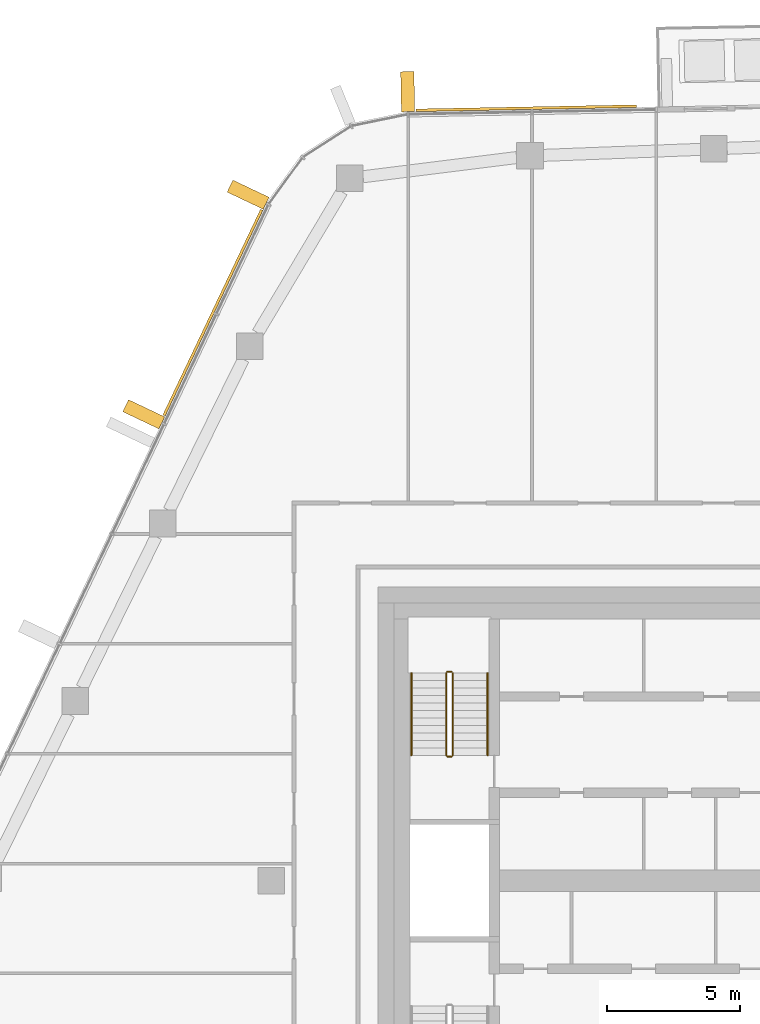
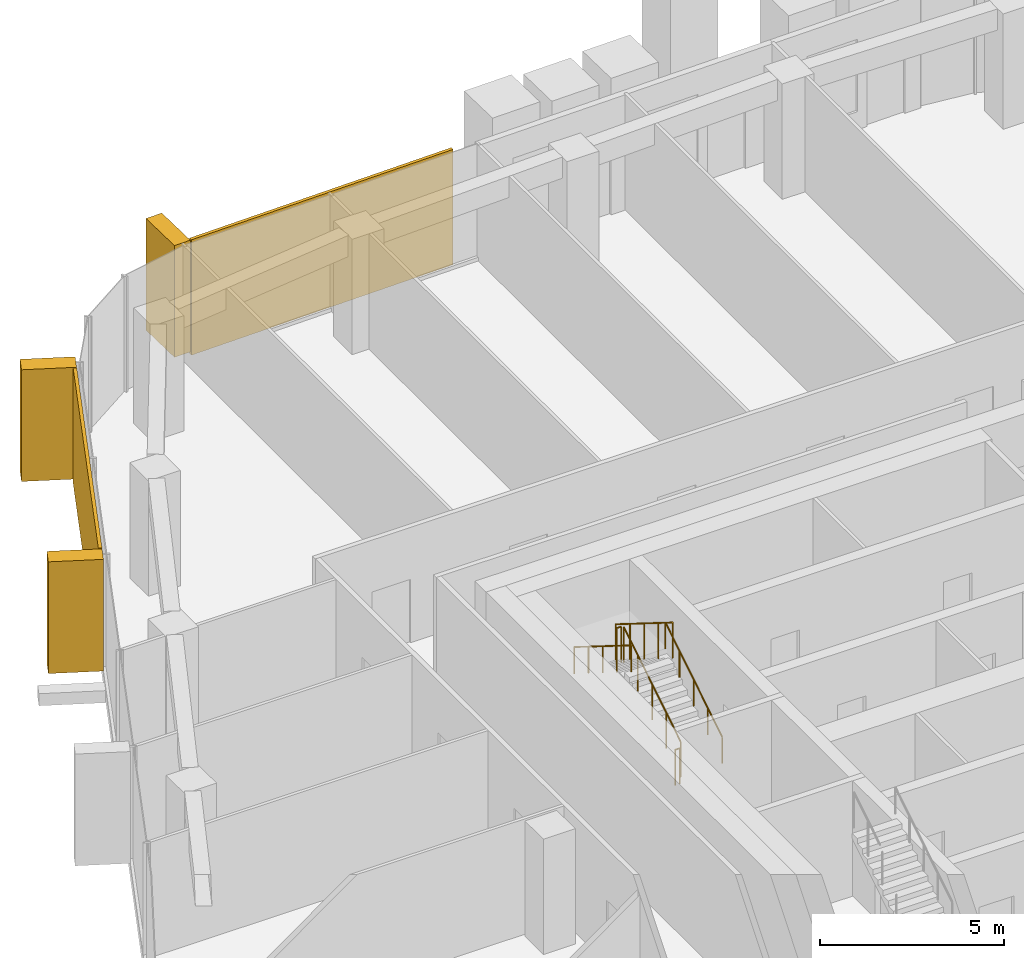
# One storey, part 22 of 24: 6 railings, 5 coverings, 2 elements without a shape of their own.
"""IFC4 building model written with IfcOpenShell, lengths in metres."""

from ifc_helpers import new_model, si_unit, direction, frame, origin, origin_2d, place, context, subcontext, project, spatial, rectangle, circle, extrude, material, layer, layer_set, material_profile, profile_set, type_object, element, aggregate, save


model = new_model("IFC4")

# Units and contexts
model_context = context("Model", 3, precision=1e-05, world=origin(), true_north=direction((0.0, 1.0)))
body_context = subcontext(model_context, "Body", "Model", "MODEL_VIEW")
ifc_project = project(units=[si_unit("LENGTHUNIT", "METRE"), si_unit("AREAUNIT", "SQUARE_METRE"), si_unit("VOLUMEUNIT", "CUBIC_METRE"), si_unit("PLANEANGLEUNIT", "RADIAN"), si_unit("MASSUNIT", "GRAM", prefix="KILO")], contexts=[model_context])

# Site, building, storey
site_placement = place(None, origin())
site = spatial("IfcSite", under=ifc_project, at=site_placement, CompositionType="ELEMENT")
building_placement = place(site_placement, origin())
building = spatial("IfcBuilding", under=site, at=building_placement, Name="Dongbaek Canopy Tower", CompositionType="ELEMENT")
storey_placement = place(building_placement, frame((0.0, 0.0, 302.60009765625)))
storey = spatial("IfcBuildingStorey", under=building, at=storey_placement, Name="L64", CompositionType="ELEMENT", Elevation=302.60009765625)

# Curtain wall, covering
ifc_material_1 = material(Name="Aluminium 6063-T6 pale anodised", Category="aluminium")
ifc_layer_1 = layer(ifc_material_1, 0.199951171875)
ifc_layer_set_1 = layer_set([ifc_layer_1], Name="CW-1 unitised tower curtain wall")
curtain_wall_type = type_object("IfcCurtainWallType", Name="CW-1 unitised tower curtain wall", PredefinedType="NOTDEFINED", material=ifc_layer_set_1)
curtain_wall_1_placement = place(storey_placement, origin())
curtain_wall_1 = element("IfcCurtainWall", 1, at=curtain_wall_1_placement, inside=storey, type_object=curtain_wall_type, Name="CW-1 curtain wall F1.1", PredefinedType="NOTDEFINED")
ifc_material_2 = material(Name="Perforated aluminium 6063-T6 pale metal screen", Category="aluminium")
ifc_layer_2 = layer(ifc_material_2, 0.10009765625)
ifc_layer_set_2 = layer_set([ifc_layer_2], Name="Facet screen FS1 100 pale metal")
covering_type_1 = type_object("IfcCoveringType", Name="Facet screen FS1 100 pale metal", PredefinedType="CLADDING", material=ifc_layer_set_2)
covering_1_placement = place(storey_placement, frame((-8.44921875, 28.95068359375, 0.0), z_axis=(0.0, 0.0, 1.0), x_axis=(-0.999821298126, -0.0189042803, 0.0)))
covering_1 = element("IfcCovering", 2, at=covering_1_placement, type_object=covering_type_1, Name="Facet screen L64 F1", PredefinedType="CLADDING", context=body_context, shape_type="SweptSolid", body=[
    extrude(rectangle(XDim=8.279541015625, YDim=0.10009765625, at=origin_2d()), origin(), (0.0, 0.0, 1.0), 3.820068359375),
])

curtain_wall_2_placement = place(storey_placement, origin())
curtain_wall_2 = element("IfcCurtainWall", 3, at=curtain_wall_2_placement, inside=storey, type_object=curtain_wall_type, Name="CW-1 curtain wall F2.1", PredefinedType="NOTDEFINED")
covering_2_placement = place(storey_placement, frame((-20.193603515625, 21.29248046875, 0.0), z_axis=(0.0, 0.0, 1.0), x_axis=(-0.42914323553, -0.903236449331, 0.0)))
covering_2 = element("IfcCovering", 4, at=covering_2_placement, type_object=covering_type_1, Name="Facet screen L64 F2", PredefinedType="CLADDING", context=body_context, shape_type="SweptSolid", body=[
    extrude(rectangle(XDim=8.53271484375, YDim=0.10009765625, at=origin_2d()), origin(), (0.0, 0.0, 1.0), 3.820068359375),
])

# Covering
ifc_material_3 = material(Name="Aluminium 6063-T6 pale metal fin", Category="aluminium")
ifc_material_profile = material_profile(ifc_material_3, rectangle(XDim=1.5, YDim=0.5, at=origin_2d()), Name="Fin FN1 500 x 1500 pale metal")
ifc_profile_set = profile_set([ifc_material_profile], Name="Aluminium 6063-T6 pale metal fin")
covering_type_2 = type_object("IfcCoveringType", Name="Fin FN1 500 x 1500 pale metal", PredefinedType="CLADDING", material=ifc_profile_set)
covering_3_placement = place(storey_placement, frame((-12.8916015625, 29.57080078125, 0.119873046875), z_axis=(0.0, 0.0, 1.0), x_axis=(-0.018905076744, 0.999821283067, 0.0)))
covering_3 = element("IfcCovering", 5, at=covering_3_placement, type_object=covering_type_2, Name="Fin F1.1.3", PredefinedType="CLADDING", context=body_context, shape_type="SweptSolid", body=[
    extrude(rectangle(XDim=1.5, YDim=0.5, at=origin_2d()), origin(), (0.0, 0.0, 1.0), 3.699951171875),
])

aggregate(curtain_wall_1, [covering_3, covering_1])

covering_4_placement = place(storey_placement, frame((-18.8740234375, 25.710205078125, 0.119873046875), z_axis=(0.0, 0.0, 1.0), x_axis=(-0.903236413866, 0.429143310174, 0.0)))
covering_4 = element("IfcCovering", 6, at=covering_4_placement, type_object=covering_type_2, Name="Fin F2.1.1", PredefinedType="CLADDING", context=body_context, shape_type="SweptSolid", body=[
    extrude(rectangle(XDim=1.5, YDim=0.5, at=origin_2d()), origin(), (0.0, 0.0, 1.0), 3.699951171875),
])

covering_5_placement = place(storey_placement, frame((-22.78466796875, 17.47900390625, 0.119873046875), z_axis=(0.0, 0.0, 1.0), x_axis=(-0.903236413866, 0.429143310174, 0.0)))
covering_5 = element("IfcCovering", 7, at=covering_5_placement, type_object=covering_type_2, Name="Fin F2.1.3", PredefinedType="CLADDING", context=body_context, shape_type="SweptSolid", body=[
    extrude(rectangle(XDim=1.5, YDim=0.5, at=origin_2d()), origin(), (0.0, 0.0, 1.0), 3.699951171875),
])

aggregate(curtain_wall_2, [covering_4, covering_5, covering_2])

# Railings
ifc_material_4 = material(Name="Stainless steel tube and balusters", Category="steel")
railing_type_1 = type_object("IfcRailingType", Name="Stair guard 1200", PredefinedType="GUARDRAIL", material=ifc_material_4)
railing_1_placement = place(storey_placement, frame((-11.199951171875, 4.699951171875, 0.1748046875)))
element("IfcRailing", 8, at=railing_1_placement, inside=storey, type_object=railing_type_1, Name="L64 ST-C stair guard 1", PredefinedType="GUARDRAIL", context=body_context, shape_type="SweptSolid", body=[
    extrude(circle(Radius=0.02392578125, at=origin_2d()), frame((0.0, 0.0, 1.17578125), z_axis=(0.0, 0.847998304005, 0.529998940003), x_axis=(-1.0, 0.0, 0.0)), (0.0, 0.0, 1.0), 3.632080078125),
    extrude(circle(Radius=0.02099609375, at=origin_2d()), origin(), (0.0, 0.0, 1.0), 1.15185546875),
    extrude(circle(Radius=0.02099609375, at=origin_2d()), frame((0.0, 0.77001953125, 0.481201171875)), (0.0, 0.0, 1.0), 1.15185546875),
    extrude(circle(Radius=0.02099609375, at=origin_2d()), frame((0.0, 1.5400390625, 0.96240234375)), (0.0, 0.0, 1.0), 1.15185546875),
    extrude(circle(Radius=0.02099609375, at=origin_2d()), frame((0.0, 2.31005859375, 1.44384765625)), (0.0, 0.0, 1.0), 1.15185546875),
    extrude(circle(Radius=0.02099609375, at=origin_2d()), frame((0.0, 3.080078125, 1.925048828125)), (0.0, 0.0, 1.0), 1.15185546875),
])
railing_2_placement = place(storey_placement, frame((-11.25, 7.830078125, 2.099853515625)))
element("IfcRailing", 9, at=railing_2_placement, inside=storey, type_object=railing_type_1, Name="L64 ST-C stair guard 2", PredefinedType="GUARDRAIL", context=body_context, shape_type="SweptSolid", body=[
    extrude(circle(Radius=0.02392578125, at=origin_2d()), frame((0.0, 0.0, 1.17578125), z_axis=(-1.0, 0.0, 0.0), x_axis=(0.0, -1.0, 0.0)), (0.0, 0.0, 1.0), 0.14990234375),
    extrude(circle(Radius=0.02099609375, at=origin_2d()), origin(), (0.0, 0.0, 1.0), 1.15185546875),
    extrude(circle(Radius=0.02099609375, at=origin_2d()), frame((-0.14990234375, 0.0, 0.0)), (0.0, 0.0, 1.0), 1.15185546875),
])
railing_3_placement = place(storey_placement, frame((-11.449951171875, 7.780029296875, 2.27490234375)))
element("IfcRailing", 10, at=railing_3_placement, inside=storey, type_object=railing_type_1, Name="L64 ST-C stair guard 3", PredefinedType="GUARDRAIL", context=body_context, shape_type="SweptSolid", body=[
    extrude(circle(Radius=0.02392578125, at=origin_2d()), frame((0.0, 0.0, 1.17578125), z_axis=(0.0, -0.847998304005, 0.529998940003), x_axis=(1.0, 0.0, 0.0)), (0.0, 0.0, 1.0), 3.632080078125),
    extrude(circle(Radius=0.02099609375, at=origin_2d()), origin(), (0.0, 0.0, 1.0), 1.15185546875),
    extrude(circle(Radius=0.02099609375, at=origin_2d()), frame((0.0, -0.77001953125, 0.481201171875)), (0.0, 0.0, 1.0), 1.15185546875),
    extrude(circle(Radius=0.02099609375, at=origin_2d()), frame((0.0, -1.5400390625, 0.96240234375)), (0.0, 0.0, 1.0), 1.15185546875),
    extrude(circle(Radius=0.02099609375, at=origin_2d()), frame((0.0, -2.31005859375, 1.44384765625)), (0.0, 0.0, 1.0), 1.15185546875),
    extrude(circle(Radius=0.02099609375, at=origin_2d()), frame((0.0, -3.080078125, 1.925048828125)), (0.0, 0.0, 1.0), 1.15185546875),
])
railing_4_placement = place(storey_placement, frame((-11.25, 4.64990234375, 0.0)))
element("IfcRailing", 11, at=railing_4_placement, inside=storey, type_object=railing_type_1, Name="L64 ST-C stair guard 4", PredefinedType="GUARDRAIL", context=body_context, shape_type="SweptSolid", body=[
    extrude(circle(Radius=0.02392578125, at=origin_2d()), frame((0.0, 0.0, 1.17578125), z_axis=(-1.0, 0.0, 0.0), x_axis=(0.0, -1.0, 0.0)), (0.0, 0.0, 1.0), 0.14990234375),
    extrude(circle(Radius=0.02099609375, at=origin_2d()), origin(), (0.0, 0.0, 1.0), 1.15185546875),
    extrude(circle(Radius=0.02099609375, at=origin_2d()), frame((-0.14990234375, 0.0, 0.0)), (0.0, 0.0, 1.0), 1.15185546875),
])
ifc_material_5 = material(Name="Stainless steel tube", Category="steel")
railing_type_2 = type_object("IfcRailingType", Name="Stair handrail 900", PredefinedType="HANDRAIL", material=ifc_material_5)
railing_5_placement = place(storey_placement, frame((-9.89990234375, 4.699951171875, 0.1748046875)))
element("IfcRailing", 12, at=railing_5_placement, inside=storey, type_object=railing_type_2, Name="L64 ST-C stair handrail 1", PredefinedType="HANDRAIL", context=body_context, shape_type="SweptSolid", body=[
    extrude(circle(Radius=0.02392578125, at=origin_2d()), frame((0.0, 0.0, 0.8759765625), z_axis=(0.0, 0.847998304005, 0.529998940003), x_axis=(-1.0, 0.0, 0.0)), (0.0, 0.0, 1.0), 3.632080078125),
    extrude(circle(Radius=0.02099609375, at=origin_2d()), origin(), (0.0, 0.0, 1.0), 0.851806640625),
    extrude(circle(Radius=0.02099609375, at=origin_2d()), frame((0.0, 0.77001953125, 0.481201171875)), (0.0, 0.0, 1.0), 0.851806640625),
    extrude(circle(Radius=0.02099609375, at=origin_2d()), frame((0.0, 1.5400390625, 0.96240234375)), (0.0, 0.0, 1.0), 0.851806640625),
    extrude(circle(Radius=0.02099609375, at=origin_2d()), frame((0.0, 2.31005859375, 1.44384765625)), (0.0, 0.0, 1.0), 0.851806640625),
    extrude(circle(Radius=0.02099609375, at=origin_2d()), frame((0.0, 3.080078125, 1.925048828125)), (0.0, 0.0, 1.0), 0.851806640625),
])
railing_6_placement = place(storey_placement, frame((-12.75, 7.780029296875, 2.27490234375)))
element("IfcRailing", 13, at=railing_6_placement, inside=storey, type_object=railing_type_2, Name="L64 ST-C stair handrail 2", PredefinedType="HANDRAIL", context=body_context, shape_type="SweptSolid", body=[
    extrude(circle(Radius=0.02392578125, at=origin_2d()), frame((0.0, 0.0, 0.8759765625), z_axis=(0.0, -0.847998304005, 0.529998940003), x_axis=(1.0, 0.0, 0.0)), (0.0, 0.0, 1.0), 3.632080078125),
    extrude(circle(Radius=0.02099609375, at=origin_2d()), origin(), (0.0, 0.0, 1.0), 0.851806640625),
    extrude(circle(Radius=0.02099609375, at=origin_2d()), frame((0.0, -0.77001953125, 0.481201171875)), (0.0, 0.0, 1.0), 0.851806640625),
    extrude(circle(Radius=0.02099609375, at=origin_2d()), frame((0.0, -1.5400390625, 0.96240234375)), (0.0, 0.0, 1.0), 0.851806640625),
    extrude(circle(Radius=0.02099609375, at=origin_2d()), frame((0.0, -2.31005859375, 1.44384765625)), (0.0, 0.0, 1.0), 0.851806640625),
    extrude(circle(Radius=0.02099609375, at=origin_2d()), frame((0.0, -3.080078125, 1.925048828125)), (0.0, 0.0, 1.0), 0.851806640625),
])

save(model, "model.ifc")
